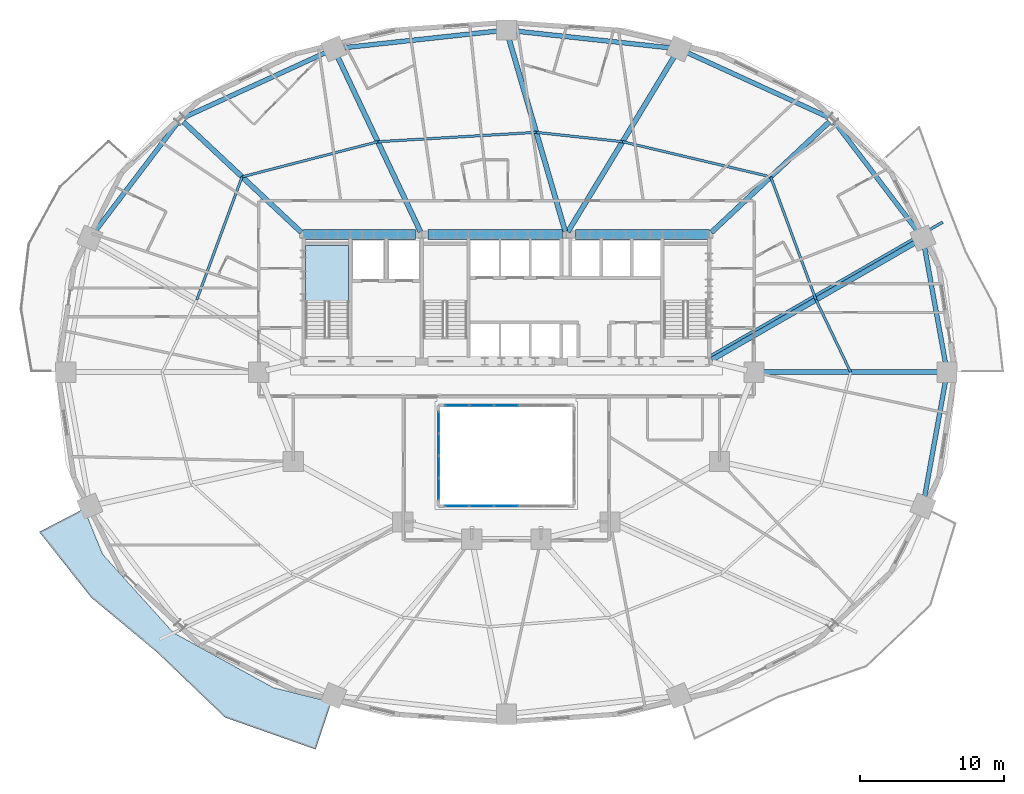
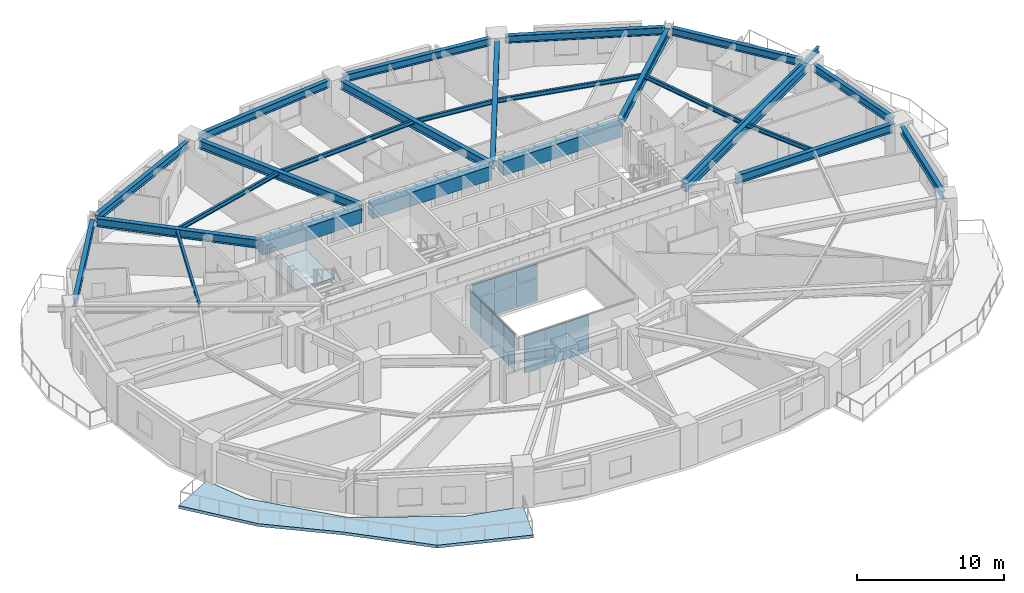
# One storey, part 7 of 17: 26 beams, 20 plates, 2 slabs, 4 elements without a shape of their own.
"""IFC4 building model written with IfcOpenShell, lengths in metres."""

from ifc_helpers import new_model, si_unit, direction, frame, origin, origin_2d, place, context, subcontext, project, spatial, polyline, rectangle, i_section, outline, extrude, material, layer, layer_set, material_profile, profile_set, type_object, element, aggregate, save


model = new_model("IFC4")

# Units and contexts
model_context = context("Model", 3, precision=1e-05, world=origin(), true_north=direction((0.0, 1.0)))
body_context = subcontext(model_context, "Body", "Model", "MODEL_VIEW")
ifc_project = project(units=[si_unit("LENGTHUNIT", "METRE"), si_unit("AREAUNIT", "SQUARE_METRE"), si_unit("VOLUMEUNIT", "CUBIC_METRE"), si_unit("PLANEANGLEUNIT", "RADIAN"), si_unit("MASSUNIT", "GRAM", prefix="KILO")], contexts=[model_context])

# Site, building, storey
site_placement = place(None, origin())
site = spatial("IfcSite", under=ifc_project, at=site_placement, CompositionType="ELEMENT")
building_placement = place(site_placement, origin())
building = spatial("IfcBuilding", under=site, at=building_placement, Name="Haldorwick Loom Tower", CompositionType="ELEMENT")
storey_placement = place(building_placement, frame((0.0, 0.0, 27.449951171875)))
storey = spatial("IfcBuildingStorey", under=building, at=storey_placement, Name="L06", CompositionType="ELEMENT", Elevation=27.449951171875)

# Beams
ifc_material_1 = material(Name="Steel CSA G40.21 350W", Category="steel")
ifc_material_profile_1 = material_profile(ifc_material_1, i_section(OverallWidth=0.193115234375, OverallDepth=0.466064453125, WebThickness=0.011474609375, FlangeThickness=0.01904296875, at=origin_2d()), Name="W460X97", Category="steel")
ifc_profile_set_1 = profile_set([ifc_material_profile_1], Name="Steel CSA G40.21 350W")
beam_type_1 = type_object("IfcBeamType", Name="STR-BM-BAL460", PredefinedType="BEAM", material=ifc_profile_set_1)
beam_1_placement = place(storey_placement, frame((50.125244140625, 27.10498046875, 2.97705078125), z_axis=(0.866607024941, 0.49899124674, 0.0), x_axis=(-0.49899124674, 0.866607024941, 0.0)))
element("IfcBeam", 1, at=beam_1_placement, inside=storey, type_object=beam_type_1, Name="L06 Continuous Back-Spanned Balcony Beam 4", PredefinedType="BEAM", context=body_context, shape_type="SweptSolid", body=[
    extrude(i_section(OverallWidth=0.193115234375, OverallDepth=0.466064453125, WebThickness=0.011474609375, FlangeThickness=0.01904296875, at=origin_2d()), origin(), (0.0, 0.0, 1.0), 18.65771484375),
])
ifc_material_2 = material(Name="Concrete C60 (60 MPa)", Category="concrete")
ifc_material_profile_2 = material_profile(ifc_material_2, rectangle(XDim=0.699951171875, YDim=1.14990234375, at=origin_2d()), Name="RC700X1150", Category="concrete")
ifc_profile_set_2 = profile_set([ifc_material_profile_2], Name="Concrete C60 (60 MPa)")
beam_type_2 = type_object("IfcBeamType", Name="STR-BM-CB1150", PredefinedType="LINTEL", material=ifc_profile_set_2)
beam_2_placement = place(storey_placement, frame((21.89990234375, 35.550048828125, 2.635009765625), z_axis=(1.0, 0.0, 0.0), x_axis=(0.0, 1.0, 0.0)))
element("IfcBeam", 2, at=beam_2_placement, inside=storey, type_object=beam_type_2, Name="L06 Core Coupling Beam CB-N1", PredefinedType="LINTEL", context=body_context, shape_type="SweptSolid", body=[
    extrude(rectangle(XDim=0.699951171875, YDim=1.14990234375, at=origin_2d()), origin(), (0.0, 0.0, 1.0), 7.800048828125),
])
beam_3_placement = place(storey_placement, frame((30.550048828125, 35.550048828125, 2.635009765625), z_axis=(1.0, 0.0, 0.0), x_axis=(0.0, 1.0, 0.0)))
element("IfcBeam", 3, at=beam_3_placement, inside=storey, type_object=beam_type_2, Name="L06 Core Coupling Beam CB-N2", PredefinedType="LINTEL", context=body_context, shape_type="SweptSolid", body=[
    extrude(rectangle(XDim=0.699951171875, YDim=1.14990234375, at=origin_2d()), origin(), (0.0, 0.0, 1.0), 9.349853515625),
])
beam_4_placement = place(storey_placement, frame((40.800048828125, 35.550048828125, 2.635009765625), z_axis=(1.0, 0.0, 0.0), x_axis=(0.0, 1.0, 0.0)))
element("IfcBeam", 4, at=beam_4_placement, inside=storey, type_object=beam_type_2, Name="L06 Core Coupling Beam CB-N3", PredefinedType="LINTEL", context=body_context, shape_type="SweptSolid", body=[
    extrude(rectangle(XDim=0.699951171875, YDim=1.14990234375, at=origin_2d()), origin(), (0.0, 0.0, 1.0), 9.300048828125),
])
ifc_material_profile_3 = material_profile(ifc_material_1, i_section(OverallWidth=0.172119140625, OverallDepth=0.35791015625, WebThickness=0.0078125, FlangeThickness=0.01318359375, at=origin_2d()), Name="W360X57", Category="steel")
ifc_profile_set_3 = profile_set([ifc_material_profile_3], Name="Steel CSA G40.21 350W")
beam_type_3 = type_object("IfcBeamType", Name="STR-BM-J360", PredefinedType="JOIST", material=ifc_profile_set_3)
beam_5_placement = place(storey_placement, frame((59.89794921875, 26.0, 3.031005859375), z_axis=(-0.431630738849, 0.902050389546, 0.0), x_axis=(-0.902050389546, -0.431630738849, 0.0)))
element("IfcBeam", 5, at=beam_5_placement, inside=storey, type_object=beam_type_3, Name="L06 Mid-Bay Secondary Joist 1", PredefinedType="JOIST", context=body_context, shape_type="SweptSolid", body=[
    extrude(i_section(OverallWidth=0.172119140625, OverallDepth=0.35791015625, WebThickness=0.0078125, FlangeThickness=0.01318359375, at=origin_2d()), origin(), (0.0, 0.0, 1.0), 5.5703125),
])
beam_6_placement = place(storey_placement, frame((57.49365234375, 31.024658203125, 3.031005859375), z_axis=(-0.345576005762, 0.938390763084, 0.0), x_axis=(-0.938390763084, -0.345576005762, 0.0)))
element("IfcBeam", 6, at=beam_6_placement, inside=storey, type_object=beam_type_3, Name="L06 Mid-Bay Secondary Joist 2", PredefinedType="JOIST", context=body_context, shape_type="SweptSolid", body=[
    extrude(i_section(OverallWidth=0.172119140625, OverallDepth=0.35791015625, WebThickness=0.0078125, FlangeThickness=0.01318359375, at=origin_2d()), origin(), (0.0, 0.0, 1.0), 9.0966796875),
])
beam_7_placement = place(storey_placement, frame((54.35009765625, 39.560791015625, 3.031005859375), z_axis=(-0.973016191143, 0.230736845289, 0.0), x_axis=(-0.230736845289, -0.973016191143, 0.0)))
element("IfcBeam", 7, at=beam_7_placement, inside=storey, type_object=beam_type_3, Name="L06 Mid-Bay Secondary Joist 3", PredefinedType="JOIST", context=body_context, shape_type="SweptSolid", body=[
    extrude(i_section(OverallWidth=0.172119140625, OverallDepth=0.35791015625, WebThickness=0.0078125, FlangeThickness=0.01318359375, at=origin_2d()), origin(), (0.0, 0.0, 1.0), 10.5712890625),
])
beam_8_placement = place(storey_placement, frame((44.06396484375, 42.0, 3.031005859375), z_axis=(-0.994163660215, 0.107882420753, 0.0), x_axis=(-0.107882420753, -0.994163660215, 0.0)))
element("IfcBeam", 8, at=beam_8_placement, inside=storey, type_object=beam_type_3, Name="L06 Mid-Bay Secondary Joist 4", PredefinedType="JOIST", context=body_context, shape_type="SweptSolid", body=[
    extrude(i_section(OverallWidth=0.172119140625, OverallDepth=0.35791015625, WebThickness=0.0078125, FlangeThickness=0.01318359375, at=origin_2d()), origin(), (0.0, 0.0, 1.0), 6.024169921875),
])
beam_9_placement = place(storey_placement, frame((38.074951171875, 42.64990234375, 3.031005859375), z_axis=(-0.998258904552, -0.058984400336, 0.0), x_axis=(0.058984400336, -0.998258904552, 0.0)))
element("IfcBeam", 9, at=beam_9_placement, inside=storey, type_object=beam_type_3, Name="L06 Mid-Bay Secondary Joist 5", PredefinedType="JOIST", context=body_context, shape_type="SweptSolid", body=[
    extrude(i_section(OverallWidth=0.172119140625, OverallDepth=0.35791015625, WebThickness=0.0078125, FlangeThickness=0.01318359375, at=origin_2d()), origin(), (0.0, 0.0, 1.0), 11.018310546875),
])
beam_10_placement = place(storey_placement, frame((27.075927734375, 42.0, 3.031005859375), z_axis=(-0.968110955806, -0.250521809927, 0.0), x_axis=(0.250521809927, -0.968110955806, 0.0)))
element("IfcBeam", 10, at=beam_10_placement, inside=storey, type_object=beam_type_3, Name="L06 Mid-Bay Secondary Joist 6", PredefinedType="JOIST", context=body_context, shape_type="SweptSolid", body=[
    extrude(i_section(OverallWidth=0.172119140625, OverallDepth=0.35791015625, WebThickness=0.0078125, FlangeThickness=0.01318359375, at=origin_2d()), origin(), (0.0, 0.0, 1.0), 9.736572265625),
])
beam_11_placement = place(storey_placement, frame((17.64990234375, 39.560791015625, 3.031005859375), z_axis=(-0.345576005762, -0.938390763084, 0.0), x_axis=(0.938390763084, -0.345576005762, 0.0)))
element("IfcBeam", 11, at=beam_11_placement, inside=storey, type_object=beam_type_3, Name="L06 Mid-Bay Secondary Joist 7", PredefinedType="JOIST", context=body_context, shape_type="SweptSolid", body=[
    extrude(i_section(OverallWidth=0.172119140625, OverallDepth=0.35791015625, WebThickness=0.0078125, FlangeThickness=0.01318359375, at=origin_2d()), origin(), (0.0, 0.0, 1.0), 9.0966796875),
])
ifc_material_profile_4 = material_profile(ifc_material_1, i_section(OverallWidth=0.324951171875, OverallDepth=0.615966796875, WebThickness=0.013916015625, FlangeThickness=0.021484375, at=origin_2d()), Name="W610X174", Category="steel")
ifc_profile_set_4 = profile_set([ifc_material_profile_4], Name="Steel CSA G40.21 350W")
beam_type_4 = type_object("IfcBeamType", Name="STR-BM-SP610", PredefinedType="SPANDREL", material=ifc_profile_set_4)
beam_12_placement = place(storey_placement, frame((66.503662109375, 26.51171875, 2.902099609375), z_axis=(-0.177641139482, 0.984095333575, 0.0), x_axis=(-0.984095333575, -0.177641139482, 0.0)))
element("IfcBeam", 12, at=beam_12_placement, inside=storey, type_object=beam_type_4, Name="L06 Perimeter Spandrel 1", PredefinedType="SPANDREL", context=body_context, shape_type="SweptSolid", body=[
    extrude(i_section(OverallWidth=0.324951171875, OverallDepth=0.615966796875, WebThickness=0.013916015625, FlangeThickness=0.021484375, at=origin_2d()), origin(), (0.0, 0.0, 1.0), 8.40966796875),
])
beam_13_placement = place(storey_placement, frame((64.602783203125, 35.713134765625, 2.902099609375), z_axis=(-0.605084557744, 0.796161213562, 0.0), x_axis=(-0.796161213562, -0.605084557744, 0.0)))
element("IfcBeam", 13, at=beam_13_placement, inside=storey, type_object=beam_type_4, Name="L06 Perimeter Spandrel 2", PredefinedType="SPANDREL", context=body_context, shape_type="SweptSolid", body=[
    extrude(i_section(OverallWidth=0.324951171875, OverallDepth=0.615966796875, WebThickness=0.013916015625, FlangeThickness=0.021484375, at=origin_2d()), origin(), (0.0, 0.0, 1.0), 9.595703125),
])
beam_14_placement = place(storey_placement, frame((58.380126953125, 43.68603515625, 2.902099609375), z_axis=(-0.909173805321, 0.416416848504, 0.0), x_axis=(-0.416416848504, -0.909173805321, 0.0)))
element("IfcBeam", 14, at=beam_14_placement, inside=storey, type_object=beam_type_4, Name="L06 Perimeter Spandrel 3", PredefinedType="SPANDREL", context=body_context, shape_type="SweptSolid", body=[
    extrude(i_section(OverallWidth=0.324951171875, OverallDepth=0.615966796875, WebThickness=0.013916015625, FlangeThickness=0.021484375, at=origin_2d()), origin(), (0.0, 0.0, 1.0), 10.92138671875),
])
for number, where, z_axis, x_axis, name in (
    (15, (47.4609375, 48.50634765625, 2.902099609375), (-0.994164438636, 0.107875247167, 0.0), (-0.107875247167, -0.994164438636, 0.0), "L06 Perimeter Spandrel 4"),
    (16, (35.48291015625, 49.69384765625, 2.902099609375), (-0.994164438636, -0.107875247167, 0.0), (0.107875247167, -0.994164438636, 0.0), "L06 Perimeter Spandrel 5"),
):
    element("IfcBeam", number, at=place(storey_placement, frame(where, z_axis=z_axis, x_axis=x_axis)), inside=storey, type_object=beam_type_4, Name=name, PredefinedType="SPANDREL", context=body_context, shape_type="SweptSolid", body=[
        extrude(i_section(OverallWidth=0.324951171875, OverallDepth=0.615966796875, WebThickness=0.013916015625, FlangeThickness=0.021484375, at=origin_2d()), origin(), (0.0, 0.0, 1.0), 11.008056640625),
    ])
beam_15_placement = place(storey_placement, frame((23.54931640625, 48.23388671875, 2.902099609375), z_axis=(-0.909173805321, -0.416416848504, 0.0), x_axis=(0.416416848504, -0.909173805321, 0.0)))
element("IfcBeam", 17, at=beam_15_placement, inside=storey, type_object=beam_type_4, Name="L06 Perimeter Spandrel 6", PredefinedType="SPANDREL", context=body_context, shape_type="SweptSolid", body=[
    extrude(i_section(OverallWidth=0.324951171875, OverallDepth=0.615966796875, WebThickness=0.013916015625, FlangeThickness=0.021484375, at=origin_2d()), origin(), (0.0, 0.0, 1.0), 10.92138671875),
])
beam_16_placement = place(storey_placement, frame((13.203369140625, 43.352783203125, 2.902099609375), z_axis=(-0.605084557744, -0.796161213562, 0.0), x_axis=(0.796161213562, -0.605084557744, 0.0)))
element("IfcBeam", 18, at=beam_16_placement, inside=storey, type_object=beam_type_4, Name="L06 Perimeter Spandrel 7", PredefinedType="SPANDREL", context=body_context, shape_type="SweptSolid", body=[
    extrude(i_section(OverallWidth=0.324951171875, OverallDepth=0.615966796875, WebThickness=0.013916015625, FlangeThickness=0.021484375, at=origin_2d()), origin(), (0.0, 0.0, 1.0), 9.595703125),
])
beam_17_placement = place(storey_placement, frame((65.009765625, 17.21240234375, 2.902099609375), z_axis=(0.177641139482, 0.984095333575, 0.0), x_axis=(-0.984095333575, 0.177641139482, 0.0)))
element("IfcBeam", 19, at=beam_17_placement, inside=storey, type_object=beam_type_4, Name="L06 Perimeter Spandrel 16", PredefinedType="SPANDREL", context=body_context, shape_type="SweptSolid", body=[
    extrude(i_section(OverallWidth=0.324951171875, OverallDepth=0.615966796875, WebThickness=0.013916015625, FlangeThickness=0.021484375, at=origin_2d()), origin(), (0.0, 0.0, 1.0), 8.40966796875),
])
ifc_material_profile_5 = material_profile(ifc_material_1, i_section(OverallWidth=0.35498046875, OverallDepth=0.695068359375, WebThickness=0.015380859375, FlangeThickness=0.02490234375, at=origin_2d()), Name="W690X217", Category="steel")
ifc_profile_set_5 = profile_set([ifc_material_profile_5], Name="Steel CSA G40.21 350W")
beam_type_5 = type_object("IfcBeamType", Name="STR-BM-W690", PredefinedType="BEAM", material=ifc_profile_set_5)
beam_18_placement = place(storey_placement, frame((53.719970703125, 26.0, 2.862548828125), z_axis=(1.0, 0.0, 0.0), x_axis=(0.0, 1.0, 0.0)))
element("IfcBeam", 20, at=beam_18_placement, inside=storey, type_object=beam_type_5, Name="L06 Radial Floor Girder 1", PredefinedType="BEAM", context=body_context, shape_type="SweptSolid", body=[
    extrude(i_section(OverallWidth=0.35498046875, OverallDepth=0.695068359375, WebThickness=0.015380859375, FlangeThickness=0.02490234375, at=origin_2d()), origin(), (0.0, 0.0, 1.0), 12.35595703125),
])
beam_19_placement = place(storey_placement, frame((50.264892578125, 26.8623046875, 2.862548828125), z_axis=(0.86660566838, 0.498993602696, 0.0), x_axis=(-0.498993602696, 0.86660566838, 0.0)))
element("IfcBeam", 21, at=beam_19_placement, inside=storey, type_object=beam_type_5, Name="L06 Radial Floor Girder 2", PredefinedType="BEAM", context=body_context, shape_type="SweptSolid", body=[
    extrude(i_section(OverallWidth=0.35498046875, OverallDepth=0.695068359375, WebThickness=0.015380859375, FlangeThickness=0.02490234375, at=origin_2d()), origin(), (0.0, 0.0, 1.0), 16.387939453125),
])
beam_20_placement = place(storey_placement, frame((50.234130859375, 35.703857421875, 2.862548828125), z_axis=(0.729689033278, 0.683779141766, 0.0), x_axis=(-0.683779141766, 0.729689033278, 0.0)))
element("IfcBeam", 22, at=beam_20_placement, inside=storey, type_object=beam_type_5, Name="L06 Radial Floor Girder 3", PredefinedType="BEAM", context=body_context, shape_type="SweptSolid", body=[
    extrude(i_section(OverallWidth=0.35498046875, OverallDepth=0.695068359375, WebThickness=0.015380859375, FlangeThickness=0.02490234375, at=origin_2d()), origin(), (0.0, 0.0, 1.0), 11.231201171875),
])
beam_21_placement = place(storey_placement, frame((40.2666015625, 35.742431640625, 2.862548828125), z_axis=(0.518781813409, 0.854906679162, 0.0), x_axis=(-0.854906679162, 0.518781813409, 0.0)))
element("IfcBeam", 23, at=beam_21_placement, inside=storey, type_object=beam_type_5, Name="L06 Radial Floor Girder 4", PredefinedType="BEAM", context=body_context, shape_type="SweptSolid", body=[
    extrude(i_section(OverallWidth=0.35498046875, OverallDepth=0.695068359375, WebThickness=0.015380859375, FlangeThickness=0.02490234375, at=origin_2d()), origin(), (0.0, 0.0, 1.0), 14.344482421875),
])
beam_22_placement = place(storey_placement, frame((40.0869140625, 35.76611328125, 2.862548828125), z_axis=(-0.28051378914, 0.959849995625, 0.0), x_axis=(-0.959849995625, -0.28051378914, 0.0)))
element("IfcBeam", 24, at=beam_22_placement, inside=storey, type_object=beam_type_5, Name="L06 Radial Floor Girder 5", PredefinedType="BEAM", context=body_context, shape_type="SweptSolid", body=[
    extrude(i_section(OverallWidth=0.35498046875, OverallDepth=0.695068359375, WebThickness=0.015380859375, FlangeThickness=0.02490234375, at=origin_2d()), origin(), (0.0, 0.0, 1.0), 14.048828125),
])
beam_23_placement = place(storey_placement, frame((30.03369140625, 35.75341796875, 2.862548828125), z_axis=(-0.427945149389, 0.903804707398, 0.0), x_axis=(-0.903804707398, -0.427945149389, 0.0)))
element("IfcBeam", 25, at=beam_23_placement, inside=storey, type_object=beam_type_5, Name="L06 Radial Floor Girder 6", PredefinedType="BEAM", context=body_context, shape_type="SweptSolid", body=[
    extrude(i_section(OverallWidth=0.35498046875, OverallDepth=0.695068359375, WebThickness=0.015380859375, FlangeThickness=0.02490234375, at=origin_2d()), origin(), (0.0, 0.0, 1.0), 13.528076171875),
])
beam_24_placement = place(storey_placement, frame((21.765869140625, 35.703857421875, 2.862548828125), z_axis=(-0.729689033278, 0.683779141766, 0.0), x_axis=(-0.683779141766, -0.729689033278, 0.0)))
element("IfcBeam", 26, at=beam_24_placement, inside=storey, type_object=beam_type_5, Name="L06 Radial Floor Girder 7", PredefinedType="BEAM", context=body_context, shape_type="SweptSolid", body=[
    extrude(i_section(OverallWidth=0.35498046875, OverallDepth=0.695068359375, WebThickness=0.015380859375, FlangeThickness=0.02490234375, at=origin_2d()), origin(), (0.0, 0.0, 1.0), 11.231201171875),
])

# Curtain wall, plates
ifc_material_3 = material(Name="Thermally Broken Anodized Aluminium Curtain Wall Framing", Category="aluminium")
curtain_wall_type = type_object("IfcCurtainWallType", Name="ARC-CW-03", PredefinedType="NOTDEFINED", material=ifc_material_3)
curtain_wall_1_placement = place(storey_placement, origin())
curtain_wall_1 = element("IfcCurtainWall", 27, at=curtain_wall_1_placement, inside=storey, type_object=curtain_wall_type, Name="L06 Atrium Glazed Screen S", PredefinedType="NOTDEFINED")
ifc_material_4 = material(Name="Triple-Glazed Low-E Argon Insulated Glazing Unit", Category="glass")
ifc_layer_1 = layer(ifc_material_4, 0.04296875, Name="Triple-Glazed Low-E Argon Insulated Glazing Unit", Category="glass")
ifc_layer_set_1 = layer_set([ifc_layer_1], Name="Triple-Glazed Low-E Argon Insulated Glazing Unit")
plate_type = type_object("IfcPlateType", Name="ARC-CWP-03", PredefinedType="CURTAIN_PANEL", material=ifc_layer_set_1)
plate_1_placement = place(storey_placement, frame((36.0, 16.699951171875, 0.066162109375), z_axis=(0.0, 0.0, 1.0), x_axis=(-1.0, 0.0, 0.0)))
plate_1 = element("IfcPlate", 28, at=plate_1_placement, type_object=plate_type, Name="CW-03 panel 3.1", PredefinedType="CURTAIN_PANEL", context=body_context, shape_type="SweptSolid", body=[
    extrude(rectangle(XDim=1.654052734375, YDim=0.04296875, at=origin_2d()), origin(), (0.0, 0.0, 1.0), 1.90087890625),
])
plate_2_placement = place(storey_placement, frame((36.0, 16.699951171875, 2.033203125), z_axis=(0.0, 0.0, 1.0), x_axis=(-1.0, 0.0, 0.0)))
plate_2 = element("IfcPlate", 29, at=plate_2_placement, type_object=plate_type, Name="CW-03 panel 3.2", PredefinedType="CURTAIN_PANEL", context=body_context, shape_type="SweptSolid", body=[
    extrude(rectangle(XDim=1.654052734375, YDim=0.04296875, at=origin_2d()), origin(), (0.0, 0.0, 1.0), 1.111083984375),
])
plate_3_placement = place(storey_placement, frame((34.280029296875, 16.699951171875, 0.066162109375), z_axis=(0.0, 0.0, 1.0), x_axis=(-1.0, 0.0, 0.0)))
plate_3 = element("IfcPlate", 30, at=plate_3_placement, type_object=plate_type, Name="CW-03 panel 4.1", PredefinedType="CURTAIN_PANEL", context=body_context, shape_type="SweptSolid", body=[
    extrude(rectangle(XDim=1.654052734375, YDim=0.04296875, at=origin_2d()), origin(), (0.0, 0.0, 1.0), 1.90087890625),
])
plate_4_placement = place(storey_placement, frame((34.280029296875, 16.699951171875, 2.033203125), z_axis=(0.0, 0.0, 1.0), x_axis=(-1.0, 0.0, 0.0)))
plate_4 = element("IfcPlate", 31, at=plate_4_placement, type_object=plate_type, Name="CW-03 panel 4.2", PredefinedType="CURTAIN_PANEL", context=body_context, shape_type="SweptSolid", body=[
    extrude(rectangle(XDim=1.654052734375, YDim=0.04296875, at=origin_2d()), origin(), (0.0, 0.0, 1.0), 1.111083984375),
])
plate_5_placement = place(storey_placement, frame((32.576416015625, 16.699951171875, 0.066162109375), z_axis=(0.0, 0.0, 1.0), x_axis=(-1.0, 0.0, 0.0)))
plate_5 = element("IfcPlate", 32, at=plate_5_placement, type_object=plate_type, Name="CW-03 panel 5.1", PredefinedType="CURTAIN_PANEL", context=body_context, shape_type="SweptSolid", body=[
    extrude(rectangle(XDim=1.62109375, YDim=0.04296875, at=origin_2d()), origin(), (0.0, 0.0, 1.0), 1.90087890625),
])
plate_6_placement = place(storey_placement, frame((32.576416015625, 16.699951171875, 2.033203125), z_axis=(0.0, 0.0, 1.0), x_axis=(-1.0, 0.0, 0.0)))
plate_6 = element("IfcPlate", 33, at=plate_6_placement, type_object=plate_type, Name="CW-03 panel 5.2", PredefinedType="CURTAIN_PANEL", context=body_context, shape_type="SweptSolid", body=[
    extrude(rectangle(XDim=1.62109375, YDim=0.04296875, at=origin_2d()), origin(), (0.0, 0.0, 1.0), 1.111083984375),
])
aggregate(curtain_wall_1, [plate_1, plate_2, plate_3, plate_4, plate_5, plate_6])

curtain_wall_2_placement = place(storey_placement, origin())
curtain_wall_2 = element("IfcCurtainWall", 34, at=curtain_wall_2_placement, inside=storey, type_object=curtain_wall_type, Name="L06 Atrium Glazed Screen N", PredefinedType="NOTDEFINED")
plate_7_placement = place(storey_placement, frame((32.576416015625, 23.699951171875, 0.066162109375), z_axis=(0.0, 0.0, 1.0), x_axis=(1.0, 0.0, 0.0)))
plate_7 = element("IfcPlate", 35, at=plate_7_placement, type_object=plate_type, Name="CW-03 panel 1.1", PredefinedType="CURTAIN_PANEL", context=body_context, shape_type="SweptSolid", body=[
    extrude(rectangle(XDim=1.62109375, YDim=0.04296875, at=origin_2d()), origin(), (0.0, 0.0, 1.0), 1.90087890625),
])
plate_8_placement = place(storey_placement, frame((32.576416015625, 23.699951171875, 2.033203125), z_axis=(0.0, 0.0, 1.0), x_axis=(1.0, 0.0, 0.0)))
plate_8 = element("IfcPlate", 36, at=plate_8_placement, type_object=plate_type, Name="CW-03 panel 1.2", PredefinedType="CURTAIN_PANEL", context=body_context, shape_type="SweptSolid", body=[
    extrude(rectangle(XDim=1.62109375, YDim=0.04296875, at=origin_2d()), origin(), (0.0, 0.0, 1.0), 1.111083984375),
])
plate_9_placement = place(storey_placement, frame((34.280029296875, 23.699951171875, 0.066162109375), z_axis=(0.0, 0.0, 1.0), x_axis=(1.0, 0.0, 0.0)))
plate_9 = element("IfcPlate", 37, at=plate_9_placement, type_object=plate_type, Name="CW-03 panel 2.1", PredefinedType="CURTAIN_PANEL", context=body_context, shape_type="SweptSolid", body=[
    extrude(rectangle(XDim=1.654052734375, YDim=0.04296875, at=origin_2d()), origin(), (0.0, 0.0, 1.0), 1.90087890625),
])
plate_10_placement = place(storey_placement, frame((34.280029296875, 23.699951171875, 2.033203125), z_axis=(0.0, 0.0, 1.0), x_axis=(1.0, 0.0, 0.0)))
plate_10 = element("IfcPlate", 38, at=plate_10_placement, type_object=plate_type, Name="CW-03 panel 2.2", PredefinedType="CURTAIN_PANEL", context=body_context, shape_type="SweptSolid", body=[
    extrude(rectangle(XDim=1.654052734375, YDim=0.04296875, at=origin_2d()), origin(), (0.0, 0.0, 1.0), 1.111083984375),
])
plate_11_placement = place(storey_placement, frame((36.0, 23.699951171875, 0.066162109375), z_axis=(0.0, 0.0, 1.0), x_axis=(1.0, 0.0, 0.0)))
plate_11 = element("IfcPlate", 39, at=plate_11_placement, type_object=plate_type, Name="CW-03 panel 3.1", PredefinedType="CURTAIN_PANEL", context=body_context, shape_type="SweptSolid", body=[
    extrude(rectangle(XDim=1.654052734375, YDim=0.04296875, at=origin_2d()), origin(), (0.0, 0.0, 1.0), 1.90087890625),
])
plate_12_placement = place(storey_placement, frame((36.0, 23.699951171875, 2.033203125), z_axis=(0.0, 0.0, 1.0), x_axis=(1.0, 0.0, 0.0)))
plate_12 = element("IfcPlate", 40, at=plate_12_placement, type_object=plate_type, Name="CW-03 panel 3.2", PredefinedType="CURTAIN_PANEL", context=body_context, shape_type="SweptSolid", body=[
    extrude(rectangle(XDim=1.654052734375, YDim=0.04296875, at=origin_2d()), origin(), (0.0, 0.0, 1.0), 1.111083984375),
])
aggregate(curtain_wall_2, [plate_7, plate_8, plate_9, plate_10, plate_11, plate_12])

curtain_wall_3_placement = place(storey_placement, origin())
curtain_wall_3 = element("IfcCurtainWall", 41, at=curtain_wall_3_placement, inside=storey, type_object=curtain_wall_type, Name="L06 Atrium Glazed Screen W", PredefinedType="NOTDEFINED")
plate_13_placement = place(storey_placement, frame((31.300048828125, 17.8916015625, 0.066162109375), z_axis=(0.0, 0.0, 1.0), x_axis=(0.0, 1.0, 0.0)))
plate_13 = element("IfcPlate", 42, at=plate_13_placement, type_object=plate_type, Name="CW-03 panel 1.1", PredefinedType="CURTAIN_PANEL", context=body_context, shape_type="SweptSolid", body=[
    extrude(rectangle(XDim=1.450927734375, YDim=0.04296875, at=origin_2d()), origin(), (0.0, 0.0, 1.0), 1.90087890625),
])
plate_14_placement = place(storey_placement, frame((31.300048828125, 17.8916015625, 2.033203125), z_axis=(0.0, 0.0, 1.0), x_axis=(0.0, 1.0, 0.0)))
plate_14 = element("IfcPlate", 43, at=plate_14_placement, type_object=plate_type, Name="CW-03 panel 1.2", PredefinedType="CURTAIN_PANEL", context=body_context, shape_type="SweptSolid", body=[
    extrude(rectangle(XDim=1.450927734375, YDim=0.04296875, at=origin_2d()), origin(), (0.0, 0.0, 1.0), 1.111083984375),
])
plate_15_placement = place(storey_placement, frame((31.300048828125, 19.425048828125, 0.066162109375), z_axis=(0.0, 0.0, 1.0), x_axis=(0.0, 1.0, 0.0)))
plate_15 = element("IfcPlate", 44, at=plate_15_placement, type_object=plate_type, Name="CW-03 panel 2.1", PredefinedType="CURTAIN_PANEL", context=body_context, shape_type="SweptSolid", body=[
    extrude(rectangle(XDim=1.48388671875, YDim=0.04296875, at=origin_2d()), origin(), (0.0, 0.0, 1.0), 1.90087890625),
])
plate_16_placement = place(storey_placement, frame((31.300048828125, 19.425048828125, 2.033203125), z_axis=(0.0, 0.0, 1.0), x_axis=(0.0, 1.0, 0.0)))
plate_16 = element("IfcPlate", 45, at=plate_16_placement, type_object=plate_type, Name="CW-03 panel 2.2", PredefinedType="CURTAIN_PANEL", context=body_context, shape_type="SweptSolid", body=[
    extrude(rectangle(XDim=1.48388671875, YDim=0.04296875, at=origin_2d()), origin(), (0.0, 0.0, 1.0), 1.111083984375),
])
plate_17_placement = place(storey_placement, frame((31.300048828125, 20.97509765625, 0.066162109375), z_axis=(0.0, 0.0, 1.0), x_axis=(0.0, 1.0, 0.0)))
plate_17 = element("IfcPlate", 46, at=plate_17_placement, type_object=plate_type, Name="CW-03 panel 3.1", PredefinedType="CURTAIN_PANEL", context=body_context, shape_type="SweptSolid", body=[
    extrude(rectangle(XDim=1.48388671875, YDim=0.04296875, at=origin_2d()), origin(), (0.0, 0.0, 1.0), 1.90087890625),
])
plate_18_placement = place(storey_placement, frame((31.300048828125, 20.97509765625, 2.033203125), z_axis=(0.0, 0.0, 1.0), x_axis=(0.0, 1.0, 0.0)))
plate_18 = element("IfcPlate", 47, at=plate_18_placement, type_object=plate_type, Name="CW-03 panel 3.2", PredefinedType="CURTAIN_PANEL", context=body_context, shape_type="SweptSolid", body=[
    extrude(rectangle(XDim=1.48388671875, YDim=0.04296875, at=origin_2d()), origin(), (0.0, 0.0, 1.0), 1.111083984375),
])
plate_19_placement = place(storey_placement, frame((31.300048828125, 22.508544921875, 0.066162109375), z_axis=(0.0, 0.0, 1.0), x_axis=(0.0, 1.0, 0.0)))
plate_19 = element("IfcPlate", 48, at=plate_19_placement, type_object=plate_type, Name="CW-03 panel 4.1", PredefinedType="CURTAIN_PANEL", context=body_context, shape_type="SweptSolid", body=[
    extrude(rectangle(XDim=1.450927734375, YDim=0.04296875, at=origin_2d()), origin(), (0.0, 0.0, 1.0), 1.90087890625),
])
plate_20_placement = place(storey_placement, frame((31.300048828125, 22.508544921875, 2.033203125), z_axis=(0.0, 0.0, 1.0), x_axis=(0.0, 1.0, 0.0)))
plate_20 = element("IfcPlate", 49, at=plate_20_placement, type_object=plate_type, Name="CW-03 panel 4.2", PredefinedType="CURTAIN_PANEL", context=body_context, shape_type="SweptSolid", body=[
    extrude(rectangle(XDim=1.450927734375, YDim=0.04296875, at=origin_2d()), origin(), (0.0, 0.0, 1.0), 1.111083984375),
])
aggregate(curtain_wall_3, [plate_13, plate_14, plate_15, plate_16, plate_17, plate_18, plate_19, plate_20])

# Slab
ifc_material_5 = material(Name="Concrete C40 (40 MPa)", Category="concrete")
ifc_layer_2 = layer(ifc_material_5, 0.239990234375, Name="Concrete C40 (40 MPa)", Category="concrete")
ifc_layer_set_2 = layer_set([ifc_layer_2], Name="Concrete C40 (40 MPa)")
slab_type_1 = type_object("IfcSlabType", Name="STR-SLB-BAL240", PredefinedType="FLOOR", material=ifc_layer_set_2)
slab_1_placement = place(storey_placement, frame((0.0, 0.0, -0.239990234375)))
element("IfcSlab", 50, at=slab_1_placement, inside=storey, type_object=slab_type_1, Name="L06 Sinusoidal Balcony Terrace BAL_SW", PredefinedType="FLOOR", context=body_context, shape_type="SweptSolid", body=[
    extrude(outline(polyline([(23.84814453125, 3.091064453125), (19.8203125, 4.0966796875), (19.819091796875, 4.096923828125), (19.81787109375, 4.097412109375), (19.81689453125, 4.09814453125), (12.86767578125, 7.92041015625), (12.8662109375, 7.921142578125), (12.86474609375, 7.922119140625), (12.86376953125, 7.92333984375), (7.97119140625, 13.3525390625), (7.97021484375, 13.353515625), (7.969482421875, 13.3544921875), (7.968994140625, 13.355712890625), (7.968505859375, 13.356689453125), (6.675537109375, 16.51708984375), (3.564453125, 14.910400390625), (7.17626953125, 10.352783203125), (11.77685546875, 6.52783203125), (16.4560546875, 2.037109375), (22.75439453125, -0.186279296875), (23.84814453125, 3.091064453125)])), origin(), (0.0, 0.0, 1.0), 0.239990234375),
])

# Stair, slab
stair_type = type_object("IfcStairType", Name="STR-STR-CORE", PredefinedType="HALF_TURN_STAIR", material=ifc_material_5)
stair_placement = place(storey_placement, origin())
stair = element("IfcStair", 51, at=stair_placement, inside=storey, type_object=stair_type, Name="L06 Exit Stair ST-01", PredefinedType="HALF_TURN_STAIR")
ifc_layer_3 = layer(ifc_material_5, 0.199951171875, Name="Concrete C40 (40 MPa)", Category="concrete")
ifc_layer_set_3 = layer_set([ifc_layer_3], Name="Concrete C40 (40 MPa)")
slab_type_2 = type_object("IfcSlabType", Name="STR-SLB-LAND200", PredefinedType="LANDING", material=ifc_layer_set_3)
slab_2_placement = place(storey_placement, frame((0.0, 0.0, 1.525146484375)))
slab_2 = element("IfcSlab", 52, at=slab_2_placement, type_object=slab_type_2, Name="ST-01 landing 1", PredefinedType="LANDING", context=body_context, shape_type="SweptSolid", body=[
    extrude(outline(polyline([(25.050048828125, 30.919921875), (25.050048828125, 34.800048828125), (22.050048828125, 34.800048828125), (22.050048828125, 30.919921875), (25.050048828125, 30.919921875)])), origin(), (0.0, 0.0, 1.0), 0.199951171875),
])
aggregate(stair, [slab_2])

save(model, "model.ifc")
